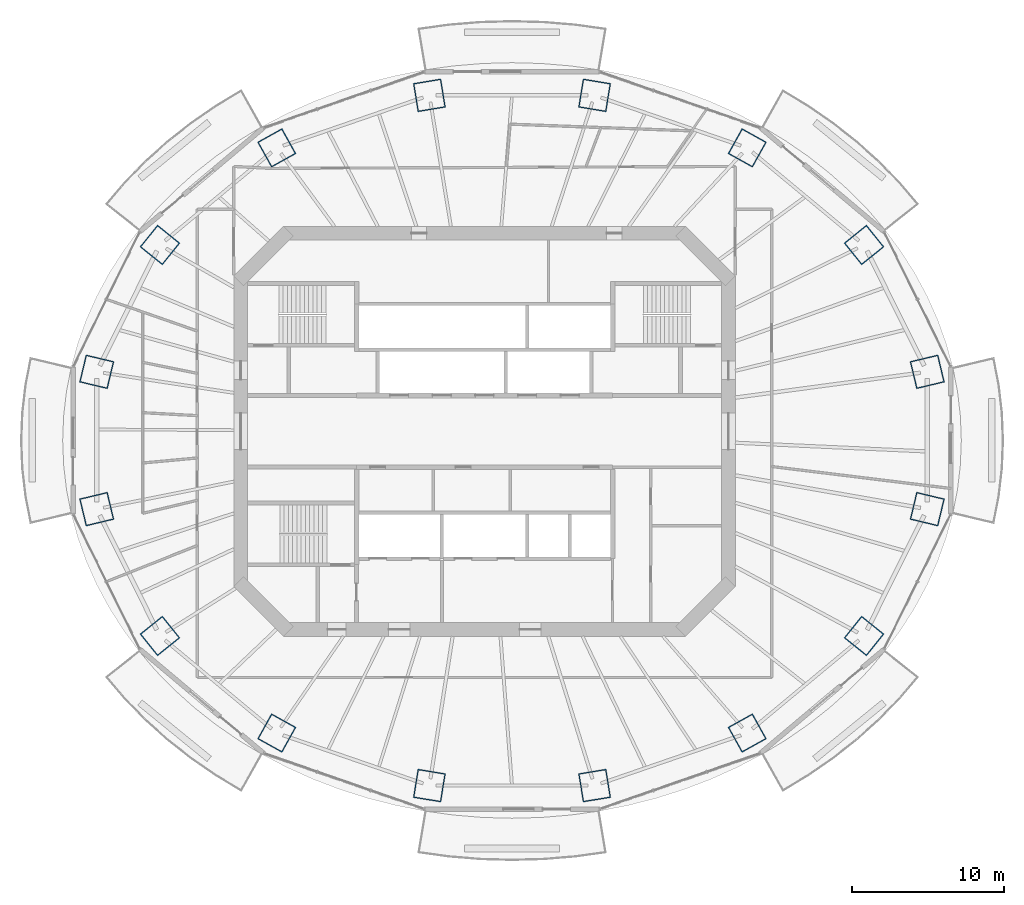
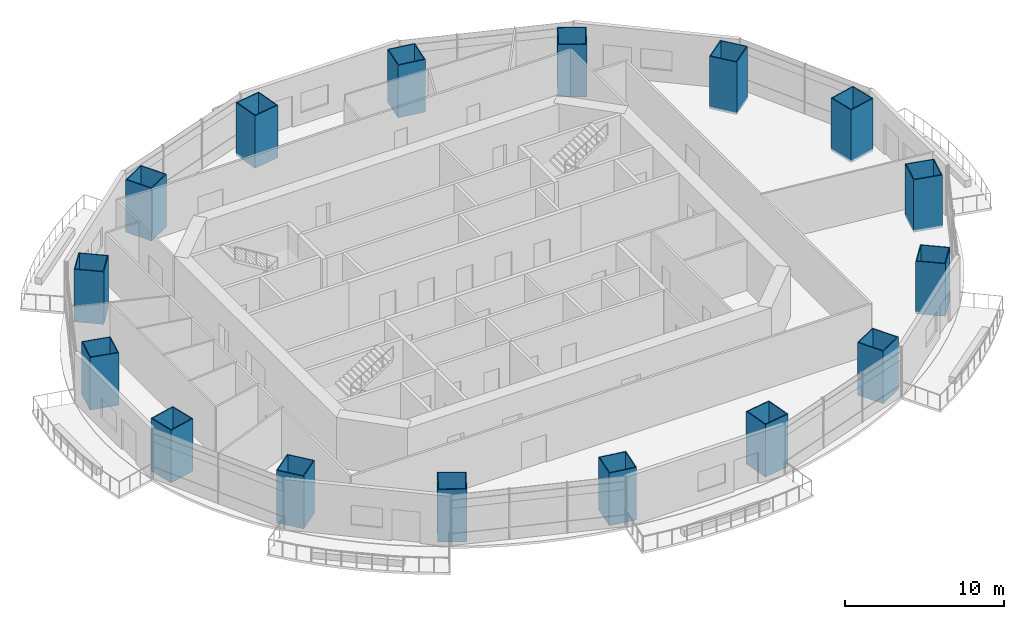
# One storey, part 1 of 16: 16 columns.
"""IFC4 building model written with IfcOpenShell, lengths in metres."""

from ifc_helpers import new_model, si_unit, direction, frame, origin, origin_2d, place, context, subcontext, project, spatial, rectangle, hollow_rectangle, extrude, material, material_profile, profile_set, type_object, element, save


model = new_model("IFC4")

# Units and contexts
model_context = context("Model", 3, precision=1e-05, world=origin(), true_north=direction((0.0, 1.0)))
body_context = subcontext(model_context, "Body", "Model", "MODEL_VIEW")
ifc_project = project(units=[si_unit("LENGTHUNIT", "METRE"), si_unit("AREAUNIT", "SQUARE_METRE"), si_unit("VOLUMEUNIT", "CUBIC_METRE"), si_unit("PLANEANGLEUNIT", "RADIAN"), si_unit("MASSUNIT", "GRAM", prefix="KILO")], contexts=[model_context])

# Site, building, storey
site_placement = place(None, origin())
site = spatial("IfcSite", under=ifc_project, at=site_placement, CompositionType="ELEMENT")
building_placement = place(site_placement, origin())
building = spatial("IfcBuilding", under=site, at=building_placement, Name="Marenthal Gate Tower", CompositionType="ELEMENT")
storey_placement = place(building_placement, frame((0.0, 0.0, 268.949951171875)))
storey = spatial("IfcBuildingStorey", under=building, at=storey_placement, Name="L60", CompositionType="ELEMENT", Elevation=268.949951171875)

# Columns
ifc_material_1 = material(Name="Steel S460", Category="steel")
ifc_material_profile_1 = material_profile(ifc_material_1, hollow_rectangle(XDim=1.85009765625, YDim=1.89990234375, WallThickness=0.06494140625, at=origin_2d()), Name="CFT BOX 1900X1850X65")
ifc_material_2 = material(Name="Concrete 70 MPa", Category="concrete")
ifc_material_profile_2 = material_profile(ifc_material_2, rectangle(XDim=1.719970703125, YDim=1.77001953125, at=origin_2d()), Name="CFT BOX 1900X1850X65 INFILL")
ifc_profile_set = profile_set([ifc_material_profile_1, ifc_material_profile_2], Name="Steel S460 shell, Concrete 70 MPa infill")
column_type = type_object("IfcColumnType", Name="CFT BOX 1900X1850X65", PredefinedType="COLUMN", material=ifc_profile_set)
for number, where, z_axis, x_axis, name in (
    (1, (29.047119140625, 3.904296875, -0.179931640625), (0.0, 0.0, 1.0), (0.232769859533, -0.972531846519, 0.0), "COL-L60-01"),
    (2, (24.899169921875, 12.22705078125, -0.179931640625), (0.0, 0.0, 1.0), (0.626592929693, -0.779346713895, 0.0), "COL-L60-02"),
    (3, (17.234375, 18.596923828125, -0.179931640625), (0.0, 0.0, 1.0), (0.874250531492, -0.485475033534, 0.0), "COL-L60-03"),
    (4, (7.2197265625, 22.04443359375, -0.179931640625), (0.0, 0.0, 1.0), (0.986610047685, -0.163096946041, 0.0), "COL-L60-04"),
    (5, (-3.619873046875, 22.04443359375, -0.179931640625), (0.0, 0.0, 1.0), (0.986610047685, 0.163096946041, 0.0), "COL-L60-05"),
    (6, (-13.63427734375, 18.596923828125, -0.179931640625), (0.0, 0.0, 1.0), (0.874250531492, 0.485475033534, 0.0), "COL-L60-06"),
    (7, (-21.299072265625, 12.22705078125, -0.179931640625), (0.0, 0.0, 1.0), (0.626592929693, 0.779346713895, 0.0), "COL-L60-07"),
    (8, (-25.447265625, 3.904296875, -0.179931640625), (0.0, 0.0, 1.0), (0.232769859533, 0.972531846519, 0.0), "COL-L60-08"),
    (9, (-25.447265625, -5.104248046875, -0.179931640625), (0.0, 0.0, 1.0), (-0.232769859533, 0.972531846519, 0.0), "COL-L60-09"),
    (10, (-21.299072265625, -13.427001953125, -0.179931640625), (0.0, 0.0, 1.0), (-0.626592929693, 0.779346713895, 0.0), "COL-L60-10"),
    (11, (-13.63427734375, -19.797119140625, -0.179931640625), (0.0, 0.0, 1.0), (-0.874250531492, 0.485475033534, 0.0), "COL-L60-11"),
    (12, (-3.619873046875, -23.244384765625, -0.179931640625), (0.0, 0.0, 1.0), (-0.986610047685, 0.163096946041, 0.0), "COL-L60-12"),
    (13, (7.2197265625, -23.244384765625, -0.179931640625), (0.0, 0.0, 1.0), (-0.986610047685, -0.163096946041, 0.0), "COL-L60-13"),
    (14, (17.234375, -19.797119140625, -0.179931640625), (0.0, 0.0, 1.0), (-0.874250531492, -0.485475033534, 0.0), "COL-L60-14"),
    (15, (24.899169921875, -13.427001953125, -0.179931640625), (0.0, 0.0, 1.0), (-0.626592929693, -0.779346713895, 0.0), "COL-L60-15"),
    (16, (29.047119140625, -5.104248046875, -0.179931640625), (0.0, 0.0, 1.0), (-0.232769859533, -0.972531846519, 0.0), "COL-L60-16"),
):
    element("IfcColumn", number, at=place(storey_placement, frame(where, z_axis=z_axis, x_axis=x_axis)), inside=storey, type_object=column_type, Name=name, PredefinedType="COLUMN", context=body_context, shape_type="SweptSolid", body=[
        extrude(hollow_rectangle(XDim=1.85009765625, YDim=1.89990234375, WallThickness=0.06494140625, at=origin_2d()), origin(), (0.0, 0.0, 1.0), 4.030029296875),
    ])

save(model, "model.ifc")
